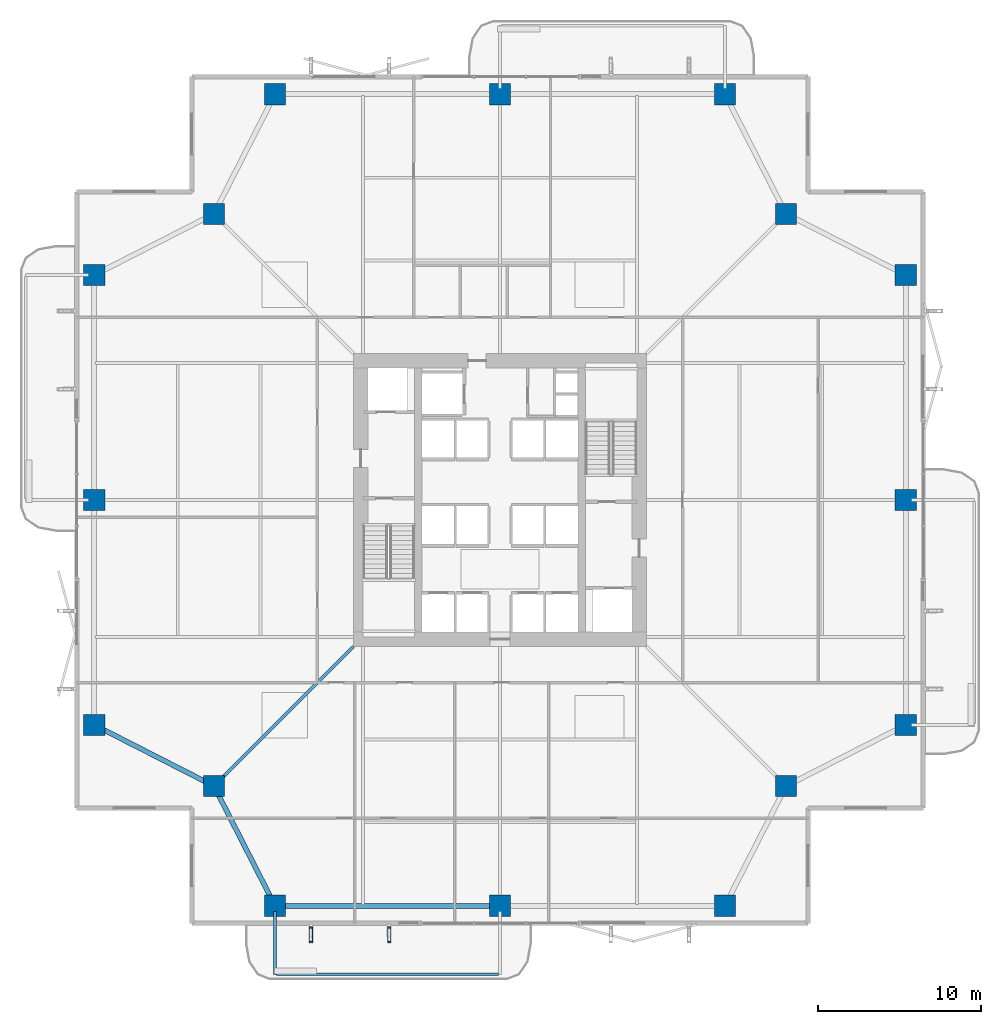
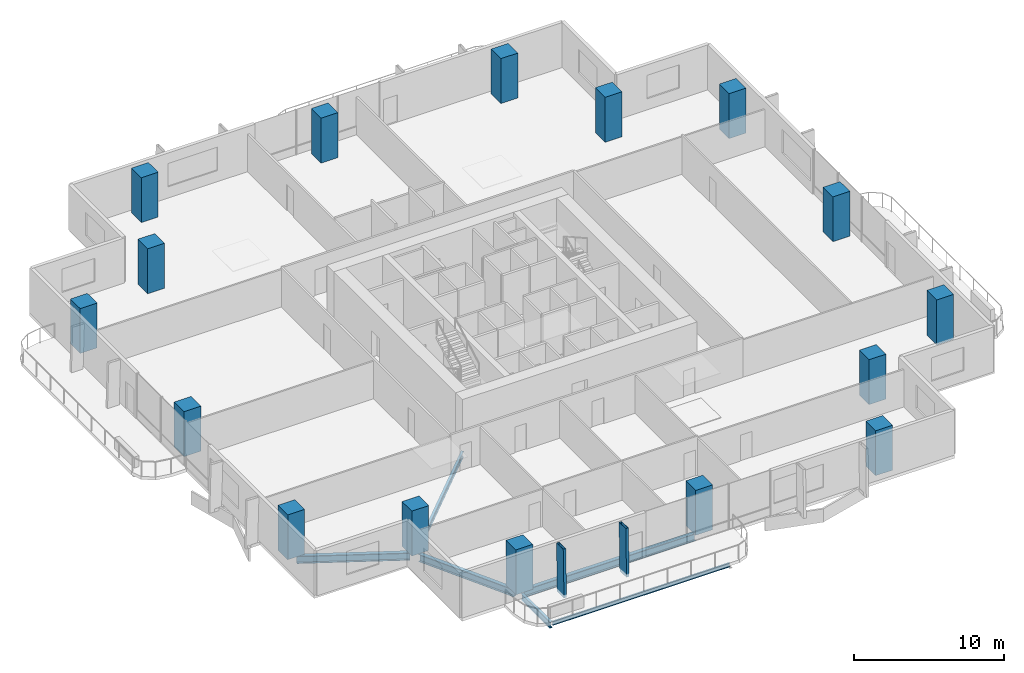
# One storey, part 1 of 23: 16 columns, 6 beams, 2 members.
"""IFC4 building model written with IfcOpenShell, lengths in metres."""

from ifc_helpers import new_model, si_unit, direction, frame, origin, origin_2d, place, context, subcontext, project, spatial, rectangle, hollow_rectangle, i_section, extrude, material, material_profile, profile_set, type_object, element, save


model = new_model("IFC4")

# Units and contexts
model_context = context("Model", 3, precision=1e-05, world=origin(), true_north=direction((0.0, 1.0)))
body_context = subcontext(model_context, "Body", "Model", "MODEL_VIEW")
ifc_project = project(units=[si_unit("LENGTHUNIT", "METRE"), si_unit("AREAUNIT", "SQUARE_METRE"), si_unit("VOLUMEUNIT", "CUBIC_METRE"), si_unit("PLANEANGLEUNIT", "RADIAN"), si_unit("MASSUNIT", "GRAM", prefix="KILO")], contexts=[model_context])

# Site, building, storey
site_placement = place(None, origin())
site = spatial("IfcSite", under=ifc_project, at=site_placement, CompositionType="ELEMENT")
building_placement = place(site_placement, origin())
building = spatial("IfcBuilding", under=site, at=building_placement, Name="Belovzor Exchange Tower", CompositionType="ELEMENT")
storey_placement = place(building_placement, frame((0.0, 0.0, 125.10009765625)))
storey = spatial("IfcBuildingStorey", under=building, at=storey_placement, Name="L30", CompositionType="ELEMENT", Elevation=125.10009765625)

# Columns
ifc_material_1 = material(Name="Concrete C60/75", Category="concrete")
ifc_material_profile_1 = material_profile(ifc_material_1, rectangle(XDim=1.300048828125, YDim=1.300048828125, at=origin_2d()))
ifc_profile_set_1 = profile_set([ifc_material_profile_1], Name="Concrete C60/75")
column_type = type_object("IfcColumnType", Name="Reinforced Concrete Tower Column 1300x1300", PredefinedType="COLUMN", material=ifc_profile_set_1)
for number, where, z_axis, x_axis, name in (
    (1, (15.0, 3.89990234375, 0.0029296875), (0.0, 0.0, 1.0), (1.0, 0.0, 0.0), "COL-T130 Reinforced Concrete Tower Column 1300x1300"),
    (2, (28.800048828125, 3.89990234375, 0.0029296875), (0.0, 0.0, 1.0), (1.0, 0.0, 0.0), "COL-T130 Reinforced Concrete Tower Column 1300x1300"),
    (3, (42.60009765625, 3.89990234375, 0.0029296875), (0.0, 0.0, 1.0), (1.0, 0.0, 0.0), "COL-T130 Reinforced Concrete Tower Column 1300x1300"),
    (4, (53.699951171875, 15.0, 0.0029296875), (0.0, 0.0, 1.0), (1.0, 0.0, 0.0), "COL-T130 Reinforced Concrete Tower Column 1300x1300"),
    (5, (53.699951171875, 28.800048828125, 0.0029296875), (0.0, 0.0, 1.0), (1.0, 0.0, 0.0), "COL-T130 Reinforced Concrete Tower Column 1300x1300"),
    (6, (53.699951171875, 42.60009765625, 0.0029296875), (0.0, 0.0, 1.0), (1.0, 0.0, 0.0), "COL-T130 Reinforced Concrete Tower Column 1300x1300"),
    (7, (42.60009765625, 53.699951171875, 0.0029296875), (0.0, 0.0, 1.0), (1.0, 0.0, 0.0), "COL-T130 Reinforced Concrete Tower Column 1300x1300"),
    (8, (28.800048828125, 53.699951171875, 0.0029296875), (0.0, 0.0, 1.0), (1.0, 0.0, 0.0), "COL-T130 Reinforced Concrete Tower Column 1300x1300"),
    (9, (15.0, 53.699951171875, 0.0029296875), (0.0, 0.0, 1.0), (1.0, 0.0, 0.0), "COL-T130 Reinforced Concrete Tower Column 1300x1300"),
    (10, (3.89990234375, 42.60009765625, 0.0029296875), (0.0, 0.0, 1.0), (1.0, 0.0, 0.0), "COL-T130 Reinforced Concrete Tower Column 1300x1300"),
    (11, (3.89990234375, 28.800048828125, 0.0029296875), (0.0, 0.0, 1.0), (1.0, 0.0, 0.0), "COL-T130 Reinforced Concrete Tower Column 1300x1300"),
    (12, (3.89990234375, 15.0, 0.0029296875), (0.0, 0.0, 1.0), (1.0, 0.0, 0.0), "COL-T130 Reinforced Concrete Tower Column 1300x1300"),
    (13, (11.25, 11.25, 0.0029296875), (0.0, 0.0, 1.0), (1.0, 0.0, 0.0), "COL-T130 Reinforced Concrete Tower Column 1300x1300"),
    (14, (46.35009765625, 11.25, 0.0029296875), (0.0, 0.0, 1.0), (1.0, 0.0, 0.0), "COL-T130 Reinforced Concrete Tower Column 1300x1300"),
    (15, (46.35009765625, 46.35009765625, 0.0029296875), (0.0, 0.0, 1.0), (1.0, 0.0, 0.0), "COL-T130 Reinforced Concrete Tower Column 1300x1300"),
    (16, (11.25, 46.35009765625, 0.0029296875), (0.0, 0.0, 1.0), (1.0, 0.0, 0.0), "COL-T130 Reinforced Concrete Tower Column 1300x1300"),
):
    element("IfcColumn", number, at=place(storey_placement, frame(where, z_axis=z_axis, x_axis=x_axis)), inside=storey, type_object=column_type, Name=name, PredefinedType="COLUMN", context=body_context, shape_type="SweptSolid", body=[
        extrude(rectangle(XDim=1.300048828125, YDim=1.300048828125, at=origin_2d()), origin(), (0.0, 0.0, 1.0), 3.64404296875),
    ])

# Beams
ifc_material_2 = material(Name="Steel S355", Category="steel")
ifc_material_profile_2 = material_profile(ifc_material_2, i_section(OverallWidth=0.199951171875, OverallDepth=0.5, WebThickness=0.01025390625, FlangeThickness=0.01611328125, at=origin_2d()))
ifc_profile_set_2 = profile_set([ifc_material_profile_2], Name="Steel S355")
beam_type_1 = type_object("IfcBeamType", Name="Planted Balcony Cantilever Beam IPE 500", PredefinedType="BEAM", material=ifc_profile_set_2)
beam_1_placement = place(storey_placement, frame((15.0, 3.5419921875, -0.5), z_axis=(0.0, -1.0, 0.0), x_axis=(1.0, 0.0, 0.0)))
element("IfcBeam", 17, at=beam_1_placement, inside=storey, type_object=beam_type_1, Name="BC-500 Planted Balcony Cantilever Beam IPE 500", PredefinedType="BEAM", context=body_context, shape_type="SweptSolid", body=[
    extrude(i_section(OverallWidth=0.199951171875, OverallDepth=0.5, WebThickness=0.01025390625, FlangeThickness=0.01611328125, at=origin_2d()), origin(), (0.0, 0.0, 1.0), 3.85009765625),
])
ifc_material_3 = material(Name="Steel S355", Category="steel")
ifc_material_profile_3 = material_profile(ifc_material_3, i_section(OverallWidth=0.14990234375, OverallDepth=0.300048828125, WebThickness=0.007080078125, FlangeThickness=0.0107421875, at=origin_2d()))
ifc_profile_set_3 = profile_set([ifc_material_profile_3], Name="Steel S355")
beam_type_2 = type_object("IfcBeamType", Name="Planted Balcony Fascia Edge Beam IPE 300", PredefinedType="BEAM", material=ifc_profile_set_3)
beam_2_placement = place(storey_placement, frame((15.10009765625, -0.30810546875, -0.400146484375), z_axis=(1.0, 0.0, 0.0), x_axis=(0.0, 1.0, 0.0)))
element("IfcBeam", 18, at=beam_2_placement, inside=storey, type_object=beam_type_2, Name="BC-300 Planted Balcony Fascia Edge Beam IPE 300", PredefinedType="BEAM", context=body_context, shape_type="SweptSolid", body=[
    extrude(i_section(OverallWidth=0.14990234375, OverallDepth=0.300048828125, WebThickness=0.007080078125, FlangeThickness=0.0107421875, at=origin_2d()), origin(), (0.0, 0.0, 1.0), 13.599853515625),
])

# Members
ifc_material_4 = material(Name="Extruded Architectural Terracotta on Steel S355 Carrier", Category="masonry")
ifc_material_profile_4 = material_profile(ifc_material_4, hollow_rectangle(XDim=0.199951171875, YDim=0.89990234375, WallThickness=0.011962890625, at=origin_2d()))
ifc_profile_set_4 = profile_set([ifc_material_profile_4], Name="Extruded Architectural Terracotta on Steel S355 Carrier")
member_type = type_object("IfcMemberType", Name="Sweeping Terracotta Baguette Fin Assembly 1250", PredefinedType="USERDEFINED", material=ifc_profile_set_4)
for number, where, z_axis, x_axis, name in (
    (19, (17.199951171875, 2.072021484375, -0.25), (0.0, 0.026408715329, 0.999651229057), (-1.0, 0.0, 0.0), "FIN-TC125 Terracotta Facade Fin L30 S1"),
    (20, (22.0, 2.072021484375, -0.25), (0.0, 0.026408715329, 0.999651229057), (-1.0, 0.0, 0.0), "FIN-TC125 Terracotta Facade Fin L30 S2"),
):
    element("IfcMember", number, at=place(storey_placement, frame(where, z_axis=z_axis, x_axis=x_axis)), inside=storey, type_object=member_type, Name=name, ObjectType="FIN", PredefinedType="USERDEFINED", context=body_context, shape_type="SweptSolid", body=[
        extrude(hollow_rectangle(XDim=0.199951171875, YDim=0.89990234375, WallThickness=0.011962890625, at=origin_2d()), origin(), (0.0, 0.0, 1.0), 3.9013671875),
    ])

# Beams
ifc_material_5 = material(Name="Steel S355", Category="steel")
ifc_material_profile_5 = material_profile(ifc_material_5, i_section(OverallWidth=0.300048828125, OverallDepth=0.60009765625, WebThickness=0.015380859375, FlangeThickness=0.030029296875, at=origin_2d()))
ifc_profile_set_5 = profile_set([ifc_material_profile_5], Name="Steel S355")
beam_type_3 = type_object("IfcBeamType", Name="Zone 2 Primary Perimeter Girder HEB 600", PredefinedType="BEAM", material=ifc_profile_set_5)
beam_3_placement = place(storey_placement, frame((11.412109375, 10.931884765625, -0.550048828125), z_axis=(0.454506007464, -0.890743671984, 0.0), x_axis=(0.890743671984, 0.454506007464, 0.0)))
element("IfcBeam", 21, at=beam_3_placement, inside=storey, type_object=beam_type_3, Name="FG-Z2 Zone 2 Primary Perimeter Girder HEB 600", PredefinedType="BEAM", context=body_context, shape_type="SweptSolid", body=[
    extrude(i_section(OverallWidth=0.300048828125, OverallDepth=0.60009765625, WebThickness=0.015380859375, FlangeThickness=0.030029296875, at=origin_2d()), origin(), (0.0, 0.0, 1.0), 7.537353515625),
])
beam_4_placement = place(storey_placement, frame((15.35693359375, 3.89990234375, -0.550048828125), z_axis=(1.0, 0.0, 0.0), x_axis=(0.0, 1.0, 0.0)))
element("IfcBeam", 22, at=beam_4_placement, inside=storey, type_object=beam_type_3, Name="FG-Z2 Zone 2 Primary Perimeter Girder HEB 600", PredefinedType="BEAM", context=body_context, shape_type="SweptSolid", body=[
    extrude(i_section(OverallWidth=0.300048828125, OverallDepth=0.60009765625, WebThickness=0.015380859375, FlangeThickness=0.030029296875, at=origin_2d()), origin(), (0.0, 0.0, 1.0), 13.0849609375),
])
beam_5_placement = place(storey_placement, frame((4.218017578125, 14.837890625, -0.550048828125), z_axis=(0.890743671984, -0.454506007464, 0.0), x_axis=(0.454506007464, 0.890743671984, 0.0)))
element("IfcBeam", 23, at=beam_5_placement, inside=storey, type_object=beam_type_3, Name="FG-Z2 Zone 2 Primary Perimeter Girder HEB 600", PredefinedType="BEAM", context=body_context, shape_type="SweptSolid", body=[
    extrude(i_section(OverallWidth=0.300048828125, OverallDepth=0.60009765625, WebThickness=0.015380859375, FlangeThickness=0.030029296875, at=origin_2d()), origin(), (0.0, 0.0, 1.0), 7.537353515625),
])
ifc_material_6 = material(Name="Steel S355", Category="steel")
ifc_material_profile_6 = material_profile(ifc_material_6, i_section(OverallWidth=0.18994140625, OverallDepth=0.449951171875, WebThickness=0.009521484375, FlangeThickness=0.0146484375, at=origin_2d()))
ifc_profile_set_6 = profile_set([ifc_material_profile_6], Name="Steel S355")
beam_type_4 = type_object("IfcBeamType", Name="Zone 2-4 Radial Composite Floor Beam IPE 450", PredefinedType="BEAM", material=ifc_profile_set_6)
beam_6_placement = place(storey_placement, frame((19.800048828125, 19.800048828125, -0.47509765625), z_axis=(-0.707106781187, -0.707106781187, 0.0), x_axis=(0.707106781187, -0.707106781187, 0.0)))
element("IfcBeam", 24, at=beam_6_placement, inside=storey, type_object=beam_type_4, Name="FB-450 Zone 2-4 Radial Composite Floor Beam IPE 450", PredefinedType="BEAM", context=body_context, shape_type="SweptSolid", body=[
    extrude(i_section(OverallWidth=0.18994140625, OverallDepth=0.449951171875, WebThickness=0.009521484375, FlangeThickness=0.0146484375, at=origin_2d()), origin(), (0.0, 0.0, 1.0), 11.632080078125),
])

save(model, "model.ifc")
